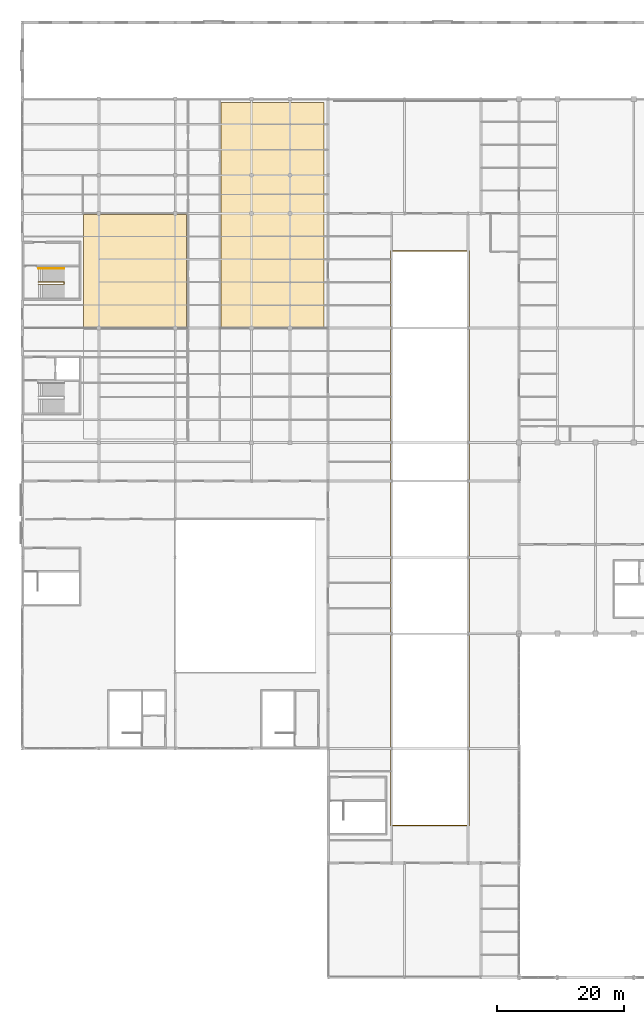
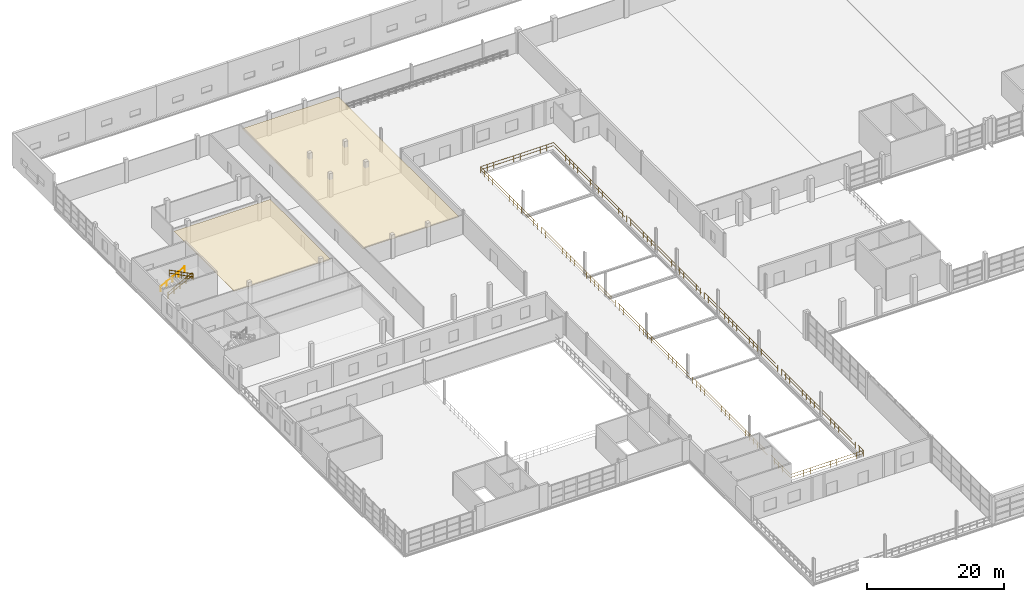
# One storey, part 144 of 147: 3 railings, 2 coverings.
"""IFC4 building model written with IfcOpenShell, lengths in metres."""

import ifcopenshell
import ifcopenshell.guid

model = None  # the IFC model being written
_history = None  # IfcOwnerHistory: only IFC2X3 demands one
_inside = {}  # id of a spatial element -> (the spatial element, [elements in it])
_under = {}  # id of a project, library or spatial element -> (it, [spatial elements below it])
_declared = {}  # id of a project -> (the project, [libraries it declares])
_typed = {}  # id of a type object -> (the type object, [elements of that type])
_made_of = {}  # id of a material, layer set ... -> (it, [elements and type objects made of it])


def new_model(schema):
    """Start an empty IFC model of exactly this schema.

    Asked for "IFC4X3", IfcOpenShell would pick the latest addendum, in which some entities
    have other attributes; the version numbers below select the first issue.
    IFC2X3 requires an IfcOwnerHistory on every rooted entity: one is made here for all.
    """
    global model, _history
    if schema == "IFC4X3":
        model = ifcopenshell.file(schema_version=(4, 3, 0, 0))
    else:
        model = ifcopenshell.file(schema=schema)
    _inside.clear()
    _under.clear()
    _declared.clear()
    _typed.clear()
    _made_of.clear()
    _history = None
    if model.schema == "IFC2X3":
        org = make("IfcOrganization", Name="unknown")
        user = make(
            "IfcPersonAndOrganization",
            ThePerson=make("IfcPerson", FamilyName="unknown"),
            TheOrganization=org,
        )
        app = make(
            "IfcApplication",
            ApplicationDeveloper=org,
            Version="unknown",
            ApplicationFullName="unknown",
            ApplicationIdentifier="unknown",
        )
        _history = make(
            "IfcOwnerHistory",
            OwningUser=user,
            OwningApplication=app,
            ChangeAction="ADDED",
            CreationDate=0,
        )
    return model


def make(cls, **values):
    """One entity of the class cls with the attributes given. An attribute that is None is left unset."""
    return model.create_entity(
        cls, **{name: value for name, value in values.items() if value is not None}
    )


def rooted(cls, **values):
    """An entity with a GlobalId (a new one), such as an element, a storey or a relation."""
    return make(cls, GlobalId=ifcopenshell.guid.new(), OwnerHistory=_history, **values)


def si_unit(unit_type, name, prefix=None):
    """IfcSIUnit, for example si_unit("LENGTHUNIT", "METRE", prefix="MILLI")."""
    return make("IfcSIUnit", UnitType=unit_type, Prefix=prefix, Name=name)


def assignment(units):
    """IfcUnitAssignment: the units of a project."""
    return None if units is None else make("IfcUnitAssignment", Units=units)


def point(xyz):
    """IfcCartesianPoint."""
    return None if xyz is None else make("IfcCartesianPoint", Coordinates=xyz)


def direction(xyz):
    """IfcDirection."""
    return None if xyz is None else make("IfcDirection", DirectionRatios=xyz)


def frame(location, z_axis=None, x_axis=None):
    """IfcAxis2Placement3D, a coordinate frame: its origin and axes. An axis left out is left unset."""
    return make(
        "IfcAxis2Placement3D",
        Location=point(location),
        Axis=direction(z_axis),
        RefDirection=direction(x_axis),
    )


def frame_2d(location, x_axis=None):
    """IfcAxis2Placement2D, a coordinate frame in the plane: its origin and x axis."""
    return make(
        "IfcAxis2Placement2D", Location=point(location), RefDirection=direction(x_axis)
    )


def origin():
    """The frame at (0, 0, 0) with its axes left unset."""
    return frame((0.0, 0.0, 0.0))


def origin_2d():
    """The frame at (0, 0) in the plane with its x axis left unset."""
    return frame_2d((0.0, 0.0))


def place(relative_to, where):
    """IfcLocalPlacement: puts the frame where relative to a parent placement (None: the world)."""
    return make(
        "IfcLocalPlacement", PlacementRelTo=relative_to, RelativePlacement=where
    )


def context(
    kind, dimensions, precision=None, world=None, true_north=None, identifier=None
):
    """IfcGeometricRepresentationContext, for example the 3D "Model" context."""
    return make(
        "IfcGeometricRepresentationContext",
        ContextIdentifier=identifier,
        ContextType=kind,
        CoordinateSpaceDimension=dimensions,
        Precision=precision,
        WorldCoordinateSystem=world,
        TrueNorth=true_north,
    )


def subcontext(parent, identifier, kind, view, scale=None):
    """IfcGeometricRepresentationSubContext, for example "Body" below "Model"."""
    return make(
        "IfcGeometricRepresentationSubContext",
        ContextIdentifier=identifier,
        ContextType=kind,
        ParentContext=parent,
        TargetScale=scale,
        TargetView=view,
    )


def project(units=None, contexts=None):
    """IfcProject with its units and contexts."""
    return rooted(
        "IfcProject",
        Name="project",
        RepresentationContexts=contexts,
        UnitsInContext=assignment(units),
    )


def spatial(cls, under=None, at=None, **own):
    """A site, building, storey or space (cls), placed at a placement, below another one or the project."""
    s = rooted(cls, ObjectPlacement=at, **own)
    if under is not None:
        _under.setdefault(under.id(), (under, []))[1].append(s)
    return s


def polyline(points):
    """IfcPolyline through the points."""
    return make("IfcPolyline", Points=[point(p) for p in points])


def profile(cls, at=None, kind="AREA", **sizes):
    """A parametric profile (cls). Its sizes go by their IFC names, for example OverallWidth=200.0."""
    return make(cls, ProfileType=kind, Position=at, **sizes)


def circle(**sizes):
    """IfcCircleProfileDef."""
    return profile("IfcCircleProfileDef", **sizes)


def outline(outer, holes=None, kind="AREA"):
    """IfcArbitraryClosedProfileDef: a profile drawn as a closed curve; with holes, ...WithVoids."""
    if holes is None:
        return make("IfcArbitraryClosedProfileDef", ProfileType=kind, OuterCurve=outer)
    return make(
        "IfcArbitraryProfileDefWithVoids",
        ProfileType=kind,
        OuterCurve=outer,
        InnerCurves=holes,
    )


def extrude(swept, where, along, depth):
    """IfcExtrudedAreaSolid: the profile swept, set in the frame where, extruded along a direction by depth."""
    return make(
        "IfcExtrudedAreaSolid",
        SweptArea=swept,
        Position=where,
        ExtrudedDirection=direction(along),
        Depth=depth,
    )


def shape(context_of_items, identifier, shape_type, items):
    """IfcShapeRepresentation: the items that make up one representation, for example the "Body"."""
    return make(
        "IfcShapeRepresentation",
        ContextOfItems=context_of_items,
        RepresentationIdentifier=identifier,
        RepresentationType=shape_type,
        Items=items,
    )


def material(Name=None, Category=None):
    """IfcMaterial."""
    return make("IfcMaterial", Name=Name, Category=Category)


def layer(
    of_material, thickness, ventilated=None, Name=None, Category=None, Priority=None
):
    """IfcMaterialLayer: one layer of a wall or slab, of a material (None: an air gap)."""
    return make(
        "IfcMaterialLayer",
        Material=of_material,
        LayerThickness=thickness,
        IsVentilated=ventilated,
        Name=Name,
        Category=Category,
        Priority=Priority,
    )


def layer_set(layers, Name=None):
    """IfcMaterialLayerSet."""
    return make("IfcMaterialLayerSet", MaterialLayers=layers, LayerSetName=Name)


def made_of(thing, what):
    """Note that an element or type object is made of a material, layer set ...; save() writes the relation."""
    if what is not None:
        _made_of.setdefault(what.id(), (what, []))[1].append(thing)
    return thing


def type_object(cls, material=None, **own):
    """A type object (cls), such as IfcWallType, which elements share."""
    return made_of(rooted(cls, **own), material)


def element(
    cls,
    number,
    at=None,
    inside=None,
    cuts=None,
    type_object=None,
    material=None,
    context=None,
    identifier="Body",
    shape_type=None,
    held_by="IfcProductDefinitionShape",
    body=None,
    shapes=None,
    **own,
):
    """One element of the class cls, such as IfcWall. Its Tag is "e" and its number.

    at: its placement. inside: the storey or other place that contains it. cuts: it is an
    opening in that element (IfcRelVoidsElement). A single representation is given by context,
    identifier, shape_type and body (its items); several are given by shapes. held_by: the class
    of the entity that holds the representations. save() writes the other relations.
    """
    e = rooted(cls, Tag="e%d" % number, ObjectPlacement=at, **own)
    if body is not None:
        shapes = [shape(context, identifier, shape_type, body)]
    if shapes is not None:
        e.Representation = make(held_by, Representations=shapes)
    if inside is not None:
        _inside.setdefault(inside.id(), (inside, []))[1].append(e)
    if cuts is not None:
        rooted(
            "IfcRelVoidsElement", RelatingBuildingElement=cuts, RelatedOpeningElement=e
        )
    if type_object is not None:
        _typed.setdefault(type_object.id(), (type_object, []))[1].append(e)
    return made_of(e, material)


def aggregate(whole, parts):
    """IfcRelAggregates: a whole, such as a stair, and the parts it consists of."""
    return rooted("IfcRelAggregates", RelatingObject=whole, RelatedObjects=parts)


def save(model, path):
    """Write the relations noted so far, then the file.

    IfcRelAggregates (storeys below a building ...), IfcRelContainedInSpatialStructure (elements
    in a storey), IfcRelDefinesByType, IfcRelAssociatesMaterial and IfcRelDeclares: one each for
    every whole, place, type object, material and project.
    """
    for whole, parts in _under.values():
        aggregate(whole, parts)
    for where, things in _inside.values():
        rooted(
            "IfcRelContainedInSpatialStructure",
            RelatedElements=things,
            RelatingStructure=where,
        )
    for kind, things in _typed.values():
        rooted("IfcRelDefinesByType", RelatedObjects=things, RelatingType=kind)
    for what, things in _made_of.values():
        rooted("IfcRelAssociatesMaterial", RelatedObjects=things, RelatingMaterial=what)
    for by, libraries in _declared.values():
        rooted("IfcRelDeclares", RelatingContext=by, RelatedDefinitions=libraries)
    model.write(path)


model = new_model("IFC4")

# Units and contexts
model_context = context("Model", 3, precision=1e-05, world=origin(), true_north=direction((0.0, 1.0)))
body_context = subcontext(model_context, "Body", "Model", "MODEL_VIEW")
ifc_project = project(units=[si_unit("LENGTHUNIT", "METRE"), si_unit("AREAUNIT", "SQUARE_METRE"), si_unit("VOLUMEUNIT", "CUBIC_METRE"), si_unit("PLANEANGLEUNIT", "RADIAN"), si_unit("MASSUNIT", "GRAM", prefix="KILO")], contexts=[model_context])

# Site, building, storey
site_placement = place(None, origin())
site = spatial("IfcSite", under=ifc_project, at=site_placement, CompositionType="ELEMENT")
building_placement = place(site_placement, origin())
building = spatial("IfcBuilding", under=site, at=building_placement, Name="Zilviju Railside Exhibition Hall", CompositionType="ELEMENT")
storey_placement = place(building_placement, frame((0.0, 0.0, 8.39990234375)))
storey = spatial("IfcBuildingStorey", under=building, at=storey_placement, Name="L03", CompositionType="ELEMENT", Elevation=8.39990234375)

# Coverings
ifc_material_1 = material(Name="Perforated gypsum and mineral-wool acoustic ceiling", Category="masonry")
ifc_layer = layer(ifc_material_1, 0.030029296875)
ifc_layer_set = layer_set([ifc_layer], Name="Perforated gypsum and mineral-wool acoustic ceiling")
covering_type = type_object("IfcCoveringType", Name="COV-CEIL-ACOUSTIC", PredefinedType="CEILING", material=ifc_layer_set)
covering_1_placement = place(storey_placement, frame((0.0, 0.0, 3.050048828125)))
element("IfcCovering", 1, at=covering_1_placement, inside=storey, type_object=covering_type, Name="Meeting Room 302 Acoustic Ceiling", PredefinedType="CEILING", context=body_context, shape_type="SweptSolid", body=[
    extrude(outline(polyline([(9.60009765625, 102.199951171875), (25.800048828125, 102.199951171875), (25.800048828125, 119.800048828125), (9.60009765625, 119.800048828125), (9.60009765625, 102.199951171875)])), origin(), (0.0, 0.0, 1.0), 0.030029296875),
])
covering_2_placement = place(storey_placement, frame((0.0, 0.0, 3.050048828125)))
element("IfcCovering", 2, at=covering_2_placement, inside=storey, type_object=covering_type, Name="Delegates Lounge Acoustic Ceiling", PredefinedType="CEILING", context=body_context, shape_type="SweptSolid", body=[
    extrude(outline(polyline([(31.199951171875, 102.199951171875), (47.39990234375, 102.199951171875), (47.39990234375, 137.39990234375), (31.199951171875, 137.39990234375), (31.199951171875, 102.199951171875)])), origin(), (0.0, 0.0, 1.0), 0.030029296875),
])

# Railings
ifc_material_2 = material(Name="Brushed bronze tubular stair handrail", Category="steel")
railing_type_1 = type_object("IfcRailingType", Name="RL-HANDRAIL-920", PredefinedType="HANDRAIL", material=ifc_material_2)
railing_1_placement = place(storey_placement, frame((2.5, 111.360107421875, 0.0)))
element("IfcRailing", 3, at=railing_1_placement, inside=storey, type_object=railing_type_1, Name="Core C16 Organisers Wing North Stair Wall Handrail L03", PredefinedType="HANDRAIL", context=body_context, shape_type="SweptSolid", body=[
    extrude(circle(Radius=0.02392578125, at=origin_2d()), frame((0.019287109375, 0.0, 0.906005859375), z_axis=(0.88681272381, 0.0, 0.462128978628), x_axis=(0.0, 1.0, 0.0)), (0.0, 0.0, 1.0), 4.500732421875),
    extrude(circle(Radius=0.02099609375, at=origin_2d()), origin(), (0.0, 0.0, 1.0), 0.919921875),
    extrude(circle(Radius=0.02099609375, at=origin_2d()), frame((1.007568359375, 0.0, 0.52490234375)), (0.0, 0.0, 1.0), 0.919921875),
    extrude(circle(Radius=0.02099609375, at=origin_2d()), frame((2.01513671875, 0.0, 1.050048828125)), (0.0, 0.0, 1.0), 0.919921875),
    extrude(circle(Radius=0.02099609375, at=origin_2d()), frame((3.0224609375, 0.0, 1.5751953125)), (0.0, 0.0, 1.0), 0.919921875),
    extrude(circle(Radius=0.02099609375, at=origin_2d()), frame((4.030029296875, 0.0, 2.10009765625)), (0.0, 0.0, 1.0), 0.919921875),
])
ifc_material_3 = material(Name="Wrought-iron and laminated-glass atrium guardrail", Category="glass")
railing_type_2 = type_object("IfcRailingType", Name="RL-INT-GUARD-1120", PredefinedType="GUARDRAIL", material=ifc_material_3)
railing_2_placement = place(storey_placement, frame((2.5, 109.22998046875, 0.0)))
element("IfcRailing", 4, at=railing_2_placement, inside=storey, type_object=railing_type_2, Name="Core C16 Organisers Wing North Stair Well Guardrail L03", PredefinedType="GUARDRAIL", context=body_context, shape_type="SweptSolid", body=[
    extrude(circle(Radius=0.02392578125, at=origin_2d()), frame((0.019287109375, 0.0, 1.106201171875), z_axis=(0.88681272381, 0.0, 0.462128978628), x_axis=(0.0, 1.0, 0.0)), (0.0, 0.0, 1.0), 4.500732421875),
    extrude(circle(Radius=0.02392578125, at=origin_2d()), frame((0.019287109375, 0.0, 0.570068359375), z_axis=(0.88681272381, 0.0, 0.462128978628), x_axis=(0.0, 1.0, 0.0)), (0.0, 0.0, 1.0), 4.500732421875),
    extrude(circle(Radius=0.02392578125, at=origin_2d()), frame((4.030029296875, -0.021728515625, 3.1962890625), z_axis=(0.0, -1.0, 0.0), x_axis=(1.0, 0.0, 0.0)), (0.0, 0.0, 1.0), 0.316162109375),
    extrude(circle(Radius=0.02392578125, at=origin_2d()), frame((4.030029296875, -0.021728515625, 2.66015625), z_axis=(0.0, -1.0, 0.0), x_axis=(1.0, 0.0, 0.0)), (0.0, 0.0, 1.0), 0.316162109375),
    extrude(circle(Radius=0.02392578125, at=origin_2d()), frame((4.0107421875, -0.35986328125, 3.206298828125), z_axis=(-0.88681272381, 0.0, 0.462128978628), x_axis=(0.0, -1.0, 0.0)), (0.0, 0.0, 1.0), 4.500732421875),
    extrude(circle(Radius=0.02392578125, at=origin_2d()), frame((4.0107421875, -0.35986328125, 2.670166015625), z_axis=(-0.88681272381, 0.0, 0.462128978628), x_axis=(0.0, -1.0, 0.0)), (0.0, 0.0, 1.0), 4.500732421875),
    extrude(circle(Radius=0.02099609375, at=origin_2d()), origin(), (0.0, 0.0, 1.0), 1.1201171875),
    extrude(circle(Radius=0.02099609375, at=origin_2d()), frame((1.007568359375, 0.0, 0.52490234375)), (0.0, 0.0, 1.0), 1.1201171875),
    extrude(circle(Radius=0.02099609375, at=origin_2d()), frame((2.01513671875, 0.0, 1.050048828125)), (0.0, 0.0, 1.0), 1.1201171875),
    extrude(circle(Radius=0.02099609375, at=origin_2d()), frame((3.0224609375, 0.0, 1.5751953125)), (0.0, 0.0, 1.0), 1.1201171875),
    extrude(circle(Radius=0.02099609375, at=origin_2d()), frame((4.030029296875, 0.0, 2.10009765625)), (0.0, 0.0, 1.0), 1.1201171875),
    extrude(circle(Radius=0.02099609375, at=origin_2d()), frame((4.030029296875, -0.35986328125, 2.10009765625)), (0.0, 0.0, 1.0), 1.1201171875),
    extrude(circle(Radius=0.02099609375, at=origin_2d()), frame((3.0224609375, -0.35986328125, 2.625)), (0.0, 0.0, 1.0), 1.1201171875),
    extrude(circle(Radius=0.02099609375, at=origin_2d()), frame((2.01513671875, -0.35986328125, 3.150146484375)), (0.0, 0.0, 1.0), 1.1201171875),
    extrude(circle(Radius=0.02099609375, at=origin_2d()), frame((1.007568359375, -0.35986328125, 3.67529296875)), (0.0, 0.0, 1.0), 1.1201171875),
    extrude(circle(Radius=0.02099609375, at=origin_2d()), frame((0.0, -0.35986328125, 4.2001953125)), (0.0, 0.0, 1.0), 1.1201171875),
])
railing_3_placement = place(storey_placement, frame((57.8798828125, 23.8798828125, 0.0)))
element("IfcRailing", 5, at=railing_3_placement, inside=storey, type_object=railing_type_2, Name="Interior Atrium & Gallery Guardrail V3-ATR-L03", PredefinedType="GUARDRAIL", context=body_context, shape_type="SweptSolid", body=[
    extrude(circle(Radius=0.02392578125, at=origin_2d()), frame((0.021728515625, 0.0, 1.09619140625), z_axis=(1.0, 0.0, 0.0), x_axis=(0.0, 1.0, 0.0)), (0.0, 0.0, 1.0), 12.196533203125),
    extrude(circle(Radius=0.02392578125, at=origin_2d()), frame((0.021728515625, 0.0, 0.56005859375), z_axis=(1.0, 0.0, 0.0), x_axis=(0.0, 1.0, 0.0)), (0.0, 0.0, 1.0), 12.196533203125),
    extrude(circle(Radius=0.02392578125, at=origin_2d()), frame((12.240234375, 0.021728515625, 1.09619140625), z_axis=(0.0, 1.0, 0.0), x_axis=(-1.0, 0.0, 0.0)), (0.0, 0.0, 1.0), 90.196533203125),
    extrude(circle(Radius=0.02392578125, at=origin_2d()), frame((12.240234375, 0.021728515625, 0.56005859375), z_axis=(0.0, 1.0, 0.0), x_axis=(-1.0, 0.0, 0.0)), (0.0, 0.0, 1.0), 90.196533203125),
    extrude(circle(Radius=0.02392578125, at=origin_2d()), frame((12.218505859375, 90.240234375, 1.09619140625), z_axis=(-1.0, 0.0, 0.0), x_axis=(0.0, -1.0, 0.0)), (0.0, 0.0, 1.0), 12.196533203125),
    extrude(circle(Radius=0.02392578125, at=origin_2d()), frame((12.218505859375, 90.240234375, 0.56005859375), z_axis=(-1.0, 0.0, 0.0), x_axis=(0.0, -1.0, 0.0)), (0.0, 0.0, 1.0), 12.196533203125),
    extrude(circle(Radius=0.02392578125, at=origin_2d()), frame((0.0, 90.218505859375, 1.09619140625), z_axis=(0.0, -1.0, 0.0), x_axis=(1.0, 0.0, 0.0)), (0.0, 0.0, 1.0), 90.196533203125),
    extrude(circle(Radius=0.02392578125, at=origin_2d()), frame((0.0, 90.218505859375, 0.56005859375), z_axis=(0.0, -1.0, 0.0), x_axis=(1.0, 0.0, 0.0)), (0.0, 0.0, 1.0), 90.196533203125),
    extrude(circle(Radius=0.02099609375, at=origin_2d()), origin(), (0.0, 0.0, 1.0), 1.1201171875),
    extrude(circle(Radius=0.02099609375, at=origin_2d()), frame((1.11279296875, 0.0, 0.0)), (0.0, 0.0, 1.0), 1.1201171875),
    extrude(circle(Radius=0.02099609375, at=origin_2d()), frame((2.2255859375, 0.0, 0.0)), (0.0, 0.0, 1.0), 1.1201171875),
    extrude(circle(Radius=0.02099609375, at=origin_2d()), frame((3.338134765625, 0.0, 0.0)), (0.0, 0.0, 1.0), 1.1201171875),
    extrude(circle(Radius=0.02099609375, at=origin_2d()), frame((4.450927734375, 0.0, 0.0)), (0.0, 0.0, 1.0), 1.1201171875),
    extrude(circle(Radius=0.02099609375, at=origin_2d()), frame((5.563720703125, 0.0, 0.0)), (0.0, 0.0, 1.0), 1.1201171875),
    extrude(circle(Radius=0.02099609375, at=origin_2d()), frame((6.676513671875, 0.0, 0.0)), (0.0, 0.0, 1.0), 1.1201171875),
    extrude(circle(Radius=0.02099609375, at=origin_2d()), frame((7.789306640625, 0.0, 0.0)), (0.0, 0.0, 1.0), 1.1201171875),
    extrude(circle(Radius=0.02099609375, at=origin_2d()), frame((8.902099609375, 0.0, 0.0)), (0.0, 0.0, 1.0), 1.1201171875),
    extrude(circle(Radius=0.02099609375, at=origin_2d()), frame((10.0146484375, 0.0, 0.0)), (0.0, 0.0, 1.0), 1.1201171875),
    extrude(circle(Radius=0.02099609375, at=origin_2d()), frame((11.12744140625, 0.0, 0.0)), (0.0, 0.0, 1.0), 1.1201171875),
    extrude(circle(Radius=0.02099609375, at=origin_2d()), frame((12.240234375, 0.0, 0.0)), (0.0, 0.0, 1.0), 1.1201171875),
    extrude(circle(Radius=0.02099609375, at=origin_2d()), frame((12.240234375, 1.187255859375, 0.0)), (0.0, 0.0, 1.0), 1.1201171875),
    extrude(circle(Radius=0.02099609375, at=origin_2d()), frame((12.240234375, 2.374755859375, 0.0)), (0.0, 0.0, 1.0), 1.1201171875),
    extrude(circle(Radius=0.02099609375, at=origin_2d()), frame((12.240234375, 3.56201171875, 0.0)), (0.0, 0.0, 1.0), 1.1201171875),
    extrude(circle(Radius=0.02099609375, at=origin_2d()), frame((12.240234375, 4.74951171875, 0.0)), (0.0, 0.0, 1.0), 1.1201171875),
    extrude(circle(Radius=0.02099609375, at=origin_2d()), frame((12.240234375, 5.936767578125, 0.0)), (0.0, 0.0, 1.0), 1.1201171875),
    extrude(circle(Radius=0.02099609375, at=origin_2d()), frame((12.240234375, 7.124267578125, 0.0)), (0.0, 0.0, 1.0), 1.1201171875),
    extrude(circle(Radius=0.02099609375, at=origin_2d()), frame((12.240234375, 8.3115234375, 0.0)), (0.0, 0.0, 1.0), 1.1201171875),
    extrude(circle(Radius=0.02099609375, at=origin_2d()), frame((12.240234375, 9.4990234375, 0.0)), (0.0, 0.0, 1.0), 1.1201171875),
    extrude(circle(Radius=0.02099609375, at=origin_2d()), frame((12.240234375, 10.686279296875, 0.0)), (0.0, 0.0, 1.0), 1.1201171875),
    extrude(circle(Radius=0.02099609375, at=origin_2d()), frame((12.240234375, 11.873779296875, 0.0)), (0.0, 0.0, 1.0), 1.1201171875),
    extrude(circle(Radius=0.02099609375, at=origin_2d()), frame((12.240234375, 13.06103515625, 0.0)), (0.0, 0.0, 1.0), 1.1201171875),
    extrude(circle(Radius=0.02099609375, at=origin_2d()), frame((12.240234375, 14.24853515625, 0.0)), (0.0, 0.0, 1.0), 1.1201171875),
    extrude(circle(Radius=0.02099609375, at=origin_2d()), frame((12.240234375, 15.435791015625, 0.0)), (0.0, 0.0, 1.0), 1.1201171875),
    extrude(circle(Radius=0.02099609375, at=origin_2d()), frame((12.240234375, 16.623291015625, 0.0)), (0.0, 0.0, 1.0), 1.1201171875),
    extrude(circle(Radius=0.02099609375, at=origin_2d()), frame((12.240234375, 17.810546875, 0.0)), (0.0, 0.0, 1.0), 1.1201171875),
    extrude(circle(Radius=0.02099609375, at=origin_2d()), frame((12.240234375, 18.998046875, 0.0)), (0.0, 0.0, 1.0), 1.1201171875),
    extrude(circle(Radius=0.02099609375, at=origin_2d()), frame((12.240234375, 20.185302734375, 0.0)), (0.0, 0.0, 1.0), 1.1201171875),
    extrude(circle(Radius=0.02099609375, at=origin_2d()), frame((12.240234375, 21.372802734375, 0.0)), (0.0, 0.0, 1.0), 1.1201171875),
    extrude(circle(Radius=0.02099609375, at=origin_2d()), frame((12.240234375, 22.56005859375, 0.0)), (0.0, 0.0, 1.0), 1.1201171875),
    extrude(circle(Radius=0.02099609375, at=origin_2d()), frame((12.240234375, 23.747314453125, 0.0)), (0.0, 0.0, 1.0), 1.1201171875),
    extrude(circle(Radius=0.02099609375, at=origin_2d()), frame((12.240234375, 24.934814453125, 0.0)), (0.0, 0.0, 1.0), 1.1201171875),
    extrude(circle(Radius=0.02099609375, at=origin_2d()), frame((12.240234375, 26.1220703125, 0.0)), (0.0, 0.0, 1.0), 1.1201171875),
    extrude(circle(Radius=0.02099609375, at=origin_2d()), frame((12.240234375, 27.3095703125, 0.0)), (0.0, 0.0, 1.0), 1.1201171875),
    extrude(circle(Radius=0.02099609375, at=origin_2d()), frame((12.240234375, 28.496826171875, 0.0)), (0.0, 0.0, 1.0), 1.1201171875),
    extrude(circle(Radius=0.02099609375, at=origin_2d()), frame((12.240234375, 29.684326171875, 0.0)), (0.0, 0.0, 1.0), 1.1201171875),
    extrude(circle(Radius=0.02099609375, at=origin_2d()), frame((12.240234375, 30.87158203125, 0.0)), (0.0, 0.0, 1.0), 1.1201171875),
    extrude(circle(Radius=0.02099609375, at=origin_2d()), frame((12.240234375, 32.05908203125, 0.0)), (0.0, 0.0, 1.0), 1.1201171875),
    extrude(circle(Radius=0.02099609375, at=origin_2d()), frame((12.240234375, 33.246337890625, 0.0)), (0.0, 0.0, 1.0), 1.1201171875),
    extrude(circle(Radius=0.02099609375, at=origin_2d()), frame((12.240234375, 34.433837890625, 0.0)), (0.0, 0.0, 1.0), 1.1201171875),
    extrude(circle(Radius=0.02099609375, at=origin_2d()), frame((12.240234375, 35.62109375, 0.0)), (0.0, 0.0, 1.0), 1.1201171875),
    extrude(circle(Radius=0.02099609375, at=origin_2d()), frame((12.240234375, 36.80859375, 0.0)), (0.0, 0.0, 1.0), 1.1201171875),
    extrude(circle(Radius=0.02099609375, at=origin_2d()), frame((12.240234375, 37.995849609375, 0.0)), (0.0, 0.0, 1.0), 1.1201171875),
    extrude(circle(Radius=0.02099609375, at=origin_2d()), frame((12.240234375, 39.183349609375, 0.0)), (0.0, 0.0, 1.0), 1.1201171875),
    extrude(circle(Radius=0.02099609375, at=origin_2d()), frame((12.240234375, 40.37060546875, 0.0)), (0.0, 0.0, 1.0), 1.1201171875),
    extrude(circle(Radius=0.02099609375, at=origin_2d()), frame((12.240234375, 41.55810546875, 0.0)), (0.0, 0.0, 1.0), 1.1201171875),
    extrude(circle(Radius=0.02099609375, at=origin_2d()), frame((12.240234375, 42.745361328125, 0.0)), (0.0, 0.0, 1.0), 1.1201171875),
    extrude(circle(Radius=0.02099609375, at=origin_2d()), frame((12.240234375, 43.932861328125, 0.0)), (0.0, 0.0, 1.0), 1.1201171875),
    extrude(circle(Radius=0.02099609375, at=origin_2d()), frame((12.240234375, 45.1201171875, 0.0)), (0.0, 0.0, 1.0), 1.1201171875),
    extrude(circle(Radius=0.02099609375, at=origin_2d()), frame((12.240234375, 46.307373046875, 0.0)), (0.0, 0.0, 1.0), 1.1201171875),
    extrude(circle(Radius=0.02099609375, at=origin_2d()), frame((12.240234375, 47.494873046875, 0.0)), (0.0, 0.0, 1.0), 1.1201171875),
    extrude(circle(Radius=0.02099609375, at=origin_2d()), frame((12.240234375, 48.68212890625, 0.0)), (0.0, 0.0, 1.0), 1.1201171875),
    extrude(circle(Radius=0.02099609375, at=origin_2d()), frame((12.240234375, 49.86962890625, 0.0)), (0.0, 0.0, 1.0), 1.1201171875),
    extrude(circle(Radius=0.02099609375, at=origin_2d()), frame((12.240234375, 51.056884765625, 0.0)), (0.0, 0.0, 1.0), 1.1201171875),
    extrude(circle(Radius=0.02099609375, at=origin_2d()), frame((12.240234375, 52.244384765625, 0.0)), (0.0, 0.0, 1.0), 1.1201171875),
    extrude(circle(Radius=0.02099609375, at=origin_2d()), frame((12.240234375, 53.431640625, 0.0)), (0.0, 0.0, 1.0), 1.1201171875),
    extrude(circle(Radius=0.02099609375, at=origin_2d()), frame((12.240234375, 54.619140625, 0.0)), (0.0, 0.0, 1.0), 1.1201171875),
    extrude(circle(Radius=0.02099609375, at=origin_2d()), frame((12.240234375, 55.806396484375, 0.0)), (0.0, 0.0, 1.0), 1.1201171875),
    extrude(circle(Radius=0.02099609375, at=origin_2d()), frame((12.240234375, 56.993896484375, 0.0)), (0.0, 0.0, 1.0), 1.1201171875),
    extrude(circle(Radius=0.02099609375, at=origin_2d()), frame((12.240234375, 58.18115234375, 0.0)), (0.0, 0.0, 1.0), 1.1201171875),
    extrude(circle(Radius=0.02099609375, at=origin_2d()), frame((12.240234375, 59.36865234375, 0.0)), (0.0, 0.0, 1.0), 1.1201171875),
    extrude(circle(Radius=0.02099609375, at=origin_2d()), frame((12.240234375, 60.555908203125, 0.0)), (0.0, 0.0, 1.0), 1.1201171875),
    extrude(circle(Radius=0.02099609375, at=origin_2d()), frame((12.240234375, 61.743408203125, 0.0)), (0.0, 0.0, 1.0), 1.1201171875),
    extrude(circle(Radius=0.02099609375, at=origin_2d()), frame((12.240234375, 62.9306640625, 0.0)), (0.0, 0.0, 1.0), 1.1201171875),
    extrude(circle(Radius=0.02099609375, at=origin_2d()), frame((12.240234375, 64.1181640625, 0.0)), (0.0, 0.0, 1.0), 1.1201171875),
    extrude(circle(Radius=0.02099609375, at=origin_2d()), frame((12.240234375, 65.305419921875, 0.0)), (0.0, 0.0, 1.0), 1.1201171875),
    extrude(circle(Radius=0.02099609375, at=origin_2d()), frame((12.240234375, 66.492919921875, 0.0)), (0.0, 0.0, 1.0), 1.1201171875),
    extrude(circle(Radius=0.02099609375, at=origin_2d()), frame((12.240234375, 67.68017578125, 0.0)), (0.0, 0.0, 1.0), 1.1201171875),
    extrude(circle(Radius=0.02099609375, at=origin_2d()), frame((12.240234375, 68.867431640625, 0.0)), (0.0, 0.0, 1.0), 1.1201171875),
    extrude(circle(Radius=0.02099609375, at=origin_2d()), frame((12.240234375, 70.054931640625, 0.0)), (0.0, 0.0, 1.0), 1.1201171875),
    extrude(circle(Radius=0.02099609375, at=origin_2d()), frame((12.240234375, 71.2421875, 0.0)), (0.0, 0.0, 1.0), 1.1201171875),
    extrude(circle(Radius=0.02099609375, at=origin_2d()), frame((12.240234375, 72.4296875, 0.0)), (0.0, 0.0, 1.0), 1.1201171875),
    extrude(circle(Radius=0.02099609375, at=origin_2d()), frame((12.240234375, 73.616943359375, 0.0)), (0.0, 0.0, 1.0), 1.1201171875),
    extrude(circle(Radius=0.02099609375, at=origin_2d()), frame((12.240234375, 74.804443359375, 0.0)), (0.0, 0.0, 1.0), 1.1201171875),
    extrude(circle(Radius=0.02099609375, at=origin_2d()), frame((12.240234375, 75.99169921875, 0.0)), (0.0, 0.0, 1.0), 1.1201171875),
    extrude(circle(Radius=0.02099609375, at=origin_2d()), frame((12.240234375, 77.17919921875, 0.0)), (0.0, 0.0, 1.0), 1.1201171875),
    extrude(circle(Radius=0.02099609375, at=origin_2d()), frame((12.240234375, 78.366455078125, 0.0)), (0.0, 0.0, 1.0), 1.1201171875),
    extrude(circle(Radius=0.02099609375, at=origin_2d()), frame((12.240234375, 79.553955078125, 0.0)), (0.0, 0.0, 1.0), 1.1201171875),
    extrude(circle(Radius=0.02099609375, at=origin_2d()), frame((12.240234375, 80.7412109375, 0.0)), (0.0, 0.0, 1.0), 1.1201171875),
    extrude(circle(Radius=0.02099609375, at=origin_2d()), frame((12.240234375, 81.9287109375, 0.0)), (0.0, 0.0, 1.0), 1.1201171875),
    extrude(circle(Radius=0.02099609375, at=origin_2d()), frame((12.240234375, 83.115966796875, 0.0)), (0.0, 0.0, 1.0), 1.1201171875),
    extrude(circle(Radius=0.02099609375, at=origin_2d()), frame((12.240234375, 84.303466796875, 0.0)), (0.0, 0.0, 1.0), 1.1201171875),
    extrude(circle(Radius=0.02099609375, at=origin_2d()), frame((12.240234375, 85.49072265625, 0.0)), (0.0, 0.0, 1.0), 1.1201171875),
    extrude(circle(Radius=0.02099609375, at=origin_2d()), frame((12.240234375, 86.67822265625, 0.0)), (0.0, 0.0, 1.0), 1.1201171875),
    extrude(circle(Radius=0.02099609375, at=origin_2d()), frame((12.240234375, 87.865478515625, 0.0)), (0.0, 0.0, 1.0), 1.1201171875),
    extrude(circle(Radius=0.02099609375, at=origin_2d()), frame((12.240234375, 89.052978515625, 0.0)), (0.0, 0.0, 1.0), 1.1201171875),
    extrude(circle(Radius=0.02099609375, at=origin_2d()), frame((12.240234375, 90.240234375, 0.0)), (0.0, 0.0, 1.0), 1.1201171875),
    extrude(circle(Radius=0.02099609375, at=origin_2d()), frame((11.12744140625, 90.240234375, 0.0)), (0.0, 0.0, 1.0), 1.1201171875),
    extrude(circle(Radius=0.02099609375, at=origin_2d()), frame((10.0146484375, 90.240234375, 0.0)), (0.0, 0.0, 1.0), 1.1201171875),
    extrude(circle(Radius=0.02099609375, at=origin_2d()), frame((8.902099609375, 90.240234375, 0.0)), (0.0, 0.0, 1.0), 1.1201171875),
    extrude(circle(Radius=0.02099609375, at=origin_2d()), frame((7.789306640625, 90.240234375, 0.0)), (0.0, 0.0, 1.0), 1.1201171875),
    extrude(circle(Radius=0.02099609375, at=origin_2d()), frame((6.676513671875, 90.240234375, 0.0)), (0.0, 0.0, 1.0), 1.1201171875),
    extrude(circle(Radius=0.02099609375, at=origin_2d()), frame((5.563720703125, 90.240234375, 0.0)), (0.0, 0.0, 1.0), 1.1201171875),
    extrude(circle(Radius=0.02099609375, at=origin_2d()), frame((4.450927734375, 90.240234375, 0.0)), (0.0, 0.0, 1.0), 1.1201171875),
    extrude(circle(Radius=0.02099609375, at=origin_2d()), frame((3.338134765625, 90.240234375, 0.0)), (0.0, 0.0, 1.0), 1.1201171875),
    extrude(circle(Radius=0.02099609375, at=origin_2d()), frame((2.2255859375, 90.240234375, 0.0)), (0.0, 0.0, 1.0), 1.1201171875),
    extrude(circle(Radius=0.02099609375, at=origin_2d()), frame((1.11279296875, 90.240234375, 0.0)), (0.0, 0.0, 1.0), 1.1201171875),
    extrude(circle(Radius=0.02099609375, at=origin_2d()), frame((0.0, 90.240234375, 0.0)), (0.0, 0.0, 1.0), 1.1201171875),
    extrude(circle(Radius=0.02099609375, at=origin_2d()), frame((0.0, 89.052978515625, 0.0)), (0.0, 0.0, 1.0), 1.1201171875),
    extrude(circle(Radius=0.02099609375, at=origin_2d()), frame((0.0, 87.865478515625, 0.0)), (0.0, 0.0, 1.0), 1.1201171875),
    extrude(circle(Radius=0.02099609375, at=origin_2d()), frame((0.0, 86.67822265625, 0.0)), (0.0, 0.0, 1.0), 1.1201171875),
    extrude(circle(Radius=0.02099609375, at=origin_2d()), frame((0.0, 85.49072265625, 0.0)), (0.0, 0.0, 1.0), 1.1201171875),
    extrude(circle(Radius=0.02099609375, at=origin_2d()), frame((0.0, 84.303466796875, 0.0)), (0.0, 0.0, 1.0), 1.1201171875),
    extrude(circle(Radius=0.02099609375, at=origin_2d()), frame((0.0, 83.115966796875, 0.0)), (0.0, 0.0, 1.0), 1.1201171875),
    extrude(circle(Radius=0.02099609375, at=origin_2d()), frame((0.0, 81.9287109375, 0.0)), (0.0, 0.0, 1.0), 1.1201171875),
    extrude(circle(Radius=0.02099609375, at=origin_2d()), frame((0.0, 80.7412109375, 0.0)), (0.0, 0.0, 1.0), 1.1201171875),
    extrude(circle(Radius=0.02099609375, at=origin_2d()), frame((0.0, 79.553955078125, 0.0)), (0.0, 0.0, 1.0), 1.1201171875),
    extrude(circle(Radius=0.02099609375, at=origin_2d()), frame((0.0, 78.366455078125, 0.0)), (0.0, 0.0, 1.0), 1.1201171875),
    extrude(circle(Radius=0.02099609375, at=origin_2d()), frame((0.0, 77.17919921875, 0.0)), (0.0, 0.0, 1.0), 1.1201171875),
    extrude(circle(Radius=0.02099609375, at=origin_2d()), frame((0.0, 75.99169921875, 0.0)), (0.0, 0.0, 1.0), 1.1201171875),
    extrude(circle(Radius=0.02099609375, at=origin_2d()), frame((0.0, 74.804443359375, 0.0)), (0.0, 0.0, 1.0), 1.1201171875),
    extrude(circle(Radius=0.02099609375, at=origin_2d()), frame((0.0, 73.616943359375, 0.0)), (0.0, 0.0, 1.0), 1.1201171875),
    extrude(circle(Radius=0.02099609375, at=origin_2d()), frame((0.0, 72.4296875, 0.0)), (0.0, 0.0, 1.0), 1.1201171875),
    extrude(circle(Radius=0.02099609375, at=origin_2d()), frame((0.0, 71.2421875, 0.0)), (0.0, 0.0, 1.0), 1.1201171875),
    extrude(circle(Radius=0.02099609375, at=origin_2d()), frame((0.0, 70.054931640625, 0.0)), (0.0, 0.0, 1.0), 1.1201171875),
    extrude(circle(Radius=0.02099609375, at=origin_2d()), frame((0.0, 68.867431640625, 0.0)), (0.0, 0.0, 1.0), 1.1201171875),
    extrude(circle(Radius=0.02099609375, at=origin_2d()), frame((0.0, 67.68017578125, 0.0)), (0.0, 0.0, 1.0), 1.1201171875),
    extrude(circle(Radius=0.02099609375, at=origin_2d()), frame((0.0, 66.492919921875, 0.0)), (0.0, 0.0, 1.0), 1.1201171875),
    extrude(circle(Radius=0.02099609375, at=origin_2d()), frame((0.0, 65.305419921875, 0.0)), (0.0, 0.0, 1.0), 1.1201171875),
    extrude(circle(Radius=0.02099609375, at=origin_2d()), frame((0.0, 64.1181640625, 0.0)), (0.0, 0.0, 1.0), 1.1201171875),
    extrude(circle(Radius=0.02099609375, at=origin_2d()), frame((0.0, 62.9306640625, 0.0)), (0.0, 0.0, 1.0), 1.1201171875),
    extrude(circle(Radius=0.02099609375, at=origin_2d()), frame((0.0, 61.743408203125, 0.0)), (0.0, 0.0, 1.0), 1.1201171875),
    extrude(circle(Radius=0.02099609375, at=origin_2d()), frame((0.0, 60.555908203125, 0.0)), (0.0, 0.0, 1.0), 1.1201171875),
    extrude(circle(Radius=0.02099609375, at=origin_2d()), frame((0.0, 59.36865234375, 0.0)), (0.0, 0.0, 1.0), 1.1201171875),
    extrude(circle(Radius=0.02099609375, at=origin_2d()), frame((0.0, 58.18115234375, 0.0)), (0.0, 0.0, 1.0), 1.1201171875),
    extrude(circle(Radius=0.02099609375, at=origin_2d()), frame((0.0, 56.993896484375, 0.0)), (0.0, 0.0, 1.0), 1.1201171875),
    extrude(circle(Radius=0.02099609375, at=origin_2d()), frame((0.0, 55.806396484375, 0.0)), (0.0, 0.0, 1.0), 1.1201171875),
    extrude(circle(Radius=0.02099609375, at=origin_2d()), frame((0.0, 54.619140625, 0.0)), (0.0, 0.0, 1.0), 1.1201171875),
    extrude(circle(Radius=0.02099609375, at=origin_2d()), frame((0.0, 53.431640625, 0.0)), (0.0, 0.0, 1.0), 1.1201171875),
    extrude(circle(Radius=0.02099609375, at=origin_2d()), frame((0.0, 52.244384765625, 0.0)), (0.0, 0.0, 1.0), 1.1201171875),
    extrude(circle(Radius=0.02099609375, at=origin_2d()), frame((0.0, 51.056884765625, 0.0)), (0.0, 0.0, 1.0), 1.1201171875),
    extrude(circle(Radius=0.02099609375, at=origin_2d()), frame((0.0, 49.86962890625, 0.0)), (0.0, 0.0, 1.0), 1.1201171875),
    extrude(circle(Radius=0.02099609375, at=origin_2d()), frame((0.0, 48.68212890625, 0.0)), (0.0, 0.0, 1.0), 1.1201171875),
    extrude(circle(Radius=0.02099609375, at=origin_2d()), frame((0.0, 47.494873046875, 0.0)), (0.0, 0.0, 1.0), 1.1201171875),
    extrude(circle(Radius=0.02099609375, at=origin_2d()), frame((0.0, 46.307373046875, 0.0)), (0.0, 0.0, 1.0), 1.1201171875),
    extrude(circle(Radius=0.02099609375, at=origin_2d()), frame((0.0, 45.1201171875, 0.0)), (0.0, 0.0, 1.0), 1.1201171875),
    extrude(circle(Radius=0.02099609375, at=origin_2d()), frame((0.0, 43.932861328125, 0.0)), (0.0, 0.0, 1.0), 1.1201171875),
    extrude(circle(Radius=0.02099609375, at=origin_2d()), frame((0.0, 42.745361328125, 0.0)), (0.0, 0.0, 1.0), 1.1201171875),
    extrude(circle(Radius=0.02099609375, at=origin_2d()), frame((0.0, 41.55810546875, 0.0)), (0.0, 0.0, 1.0), 1.1201171875),
    extrude(circle(Radius=0.02099609375, at=origin_2d()), frame((0.0, 40.37060546875, 0.0)), (0.0, 0.0, 1.0), 1.1201171875),
    extrude(circle(Radius=0.02099609375, at=origin_2d()), frame((0.0, 39.183349609375, 0.0)), (0.0, 0.0, 1.0), 1.1201171875),
    extrude(circle(Radius=0.02099609375, at=origin_2d()), frame((0.0, 37.995849609375, 0.0)), (0.0, 0.0, 1.0), 1.1201171875),
    extrude(circle(Radius=0.02099609375, at=origin_2d()), frame((0.0, 36.80859375, 0.0)), (0.0, 0.0, 1.0), 1.1201171875),
    extrude(circle(Radius=0.02099609375, at=origin_2d()), frame((0.0, 35.62109375, 0.0)), (0.0, 0.0, 1.0), 1.1201171875),
    extrude(circle(Radius=0.02099609375, at=origin_2d()), frame((0.0, 34.433837890625, 0.0)), (0.0, 0.0, 1.0), 1.1201171875),
    extrude(circle(Radius=0.02099609375, at=origin_2d()), frame((0.0, 33.246337890625, 0.0)), (0.0, 0.0, 1.0), 1.1201171875),
    extrude(circle(Radius=0.02099609375, at=origin_2d()), frame((0.0, 32.05908203125, 0.0)), (0.0, 0.0, 1.0), 1.1201171875),
    extrude(circle(Radius=0.02099609375, at=origin_2d()), frame((0.0, 30.87158203125, 0.0)), (0.0, 0.0, 1.0), 1.1201171875),
    extrude(circle(Radius=0.02099609375, at=origin_2d()), frame((0.0, 29.684326171875, 0.0)), (0.0, 0.0, 1.0), 1.1201171875),
    extrude(circle(Radius=0.02099609375, at=origin_2d()), frame((0.0, 28.496826171875, 0.0)), (0.0, 0.0, 1.0), 1.1201171875),
    extrude(circle(Radius=0.02099609375, at=origin_2d()), frame((0.0, 27.3095703125, 0.0)), (0.0, 0.0, 1.0), 1.1201171875),
    extrude(circle(Radius=0.02099609375, at=origin_2d()), frame((0.0, 26.1220703125, 0.0)), (0.0, 0.0, 1.0), 1.1201171875),
    extrude(circle(Radius=0.02099609375, at=origin_2d()), frame((0.0, 24.934814453125, 0.0)), (0.0, 0.0, 1.0), 1.1201171875),
    extrude(circle(Radius=0.02099609375, at=origin_2d()), frame((0.0, 23.747314453125, 0.0)), (0.0, 0.0, 1.0), 1.1201171875),
    extrude(circle(Radius=0.02099609375, at=origin_2d()), frame((0.0, 22.56005859375, 0.0)), (0.0, 0.0, 1.0), 1.1201171875),
    extrude(circle(Radius=0.02099609375, at=origin_2d()), frame((0.0, 21.372802734375, 0.0)), (0.0, 0.0, 1.0), 1.1201171875),
    extrude(circle(Radius=0.02099609375, at=origin_2d()), frame((0.0, 20.185302734375, 0.0)), (0.0, 0.0, 1.0), 1.1201171875),
    extrude(circle(Radius=0.02099609375, at=origin_2d()), frame((0.0, 18.998046875, 0.0)), (0.0, 0.0, 1.0), 1.1201171875),
    extrude(circle(Radius=0.02099609375, at=origin_2d()), frame((0.0, 17.810546875, 0.0)), (0.0, 0.0, 1.0), 1.1201171875),
    extrude(circle(Radius=0.02099609375, at=origin_2d()), frame((0.0, 16.623291015625, 0.0)), (0.0, 0.0, 1.0), 1.1201171875),
    extrude(circle(Radius=0.02099609375, at=origin_2d()), frame((0.0, 15.435791015625, 0.0)), (0.0, 0.0, 1.0), 1.1201171875),
    extrude(circle(Radius=0.02099609375, at=origin_2d()), frame((0.0, 14.24853515625, 0.0)), (0.0, 0.0, 1.0), 1.1201171875),
    extrude(circle(Radius=0.02099609375, at=origin_2d()), frame((0.0, 13.06103515625, 0.0)), (0.0, 0.0, 1.0), 1.1201171875),
    extrude(circle(Radius=0.02099609375, at=origin_2d()), frame((0.0, 11.873779296875, 0.0)), (0.0, 0.0, 1.0), 1.1201171875),
    extrude(circle(Radius=0.02099609375, at=origin_2d()), frame((0.0, 10.686279296875, 0.0)), (0.0, 0.0, 1.0), 1.1201171875),
    extrude(circle(Radius=0.02099609375, at=origin_2d()), frame((0.0, 9.4990234375, 0.0)), (0.0, 0.0, 1.0), 1.1201171875),
    extrude(circle(Radius=0.02099609375, at=origin_2d()), frame((0.0, 8.3115234375, 0.0)), (0.0, 0.0, 1.0), 1.1201171875),
    extrude(circle(Radius=0.02099609375, at=origin_2d()), frame((0.0, 7.124267578125, 0.0)), (0.0, 0.0, 1.0), 1.1201171875),
    extrude(circle(Radius=0.02099609375, at=origin_2d()), frame((0.0, 5.936767578125, 0.0)), (0.0, 0.0, 1.0), 1.1201171875),
    extrude(circle(Radius=0.02099609375, at=origin_2d()), frame((0.0, 4.74951171875, 0.0)), (0.0, 0.0, 1.0), 1.1201171875),
    extrude(circle(Radius=0.02099609375, at=origin_2d()), frame((0.0, 3.56201171875, 0.0)), (0.0, 0.0, 1.0), 1.1201171875),
    extrude(circle(Radius=0.02099609375, at=origin_2d()), frame((0.0, 2.374755859375, 0.0)), (0.0, 0.0, 1.0), 1.1201171875),
    extrude(circle(Radius=0.02099609375, at=origin_2d()), frame((0.0, 1.187255859375, 0.0)), (0.0, 0.0, 1.0), 1.1201171875),
])

save(model, "model.ifc")
